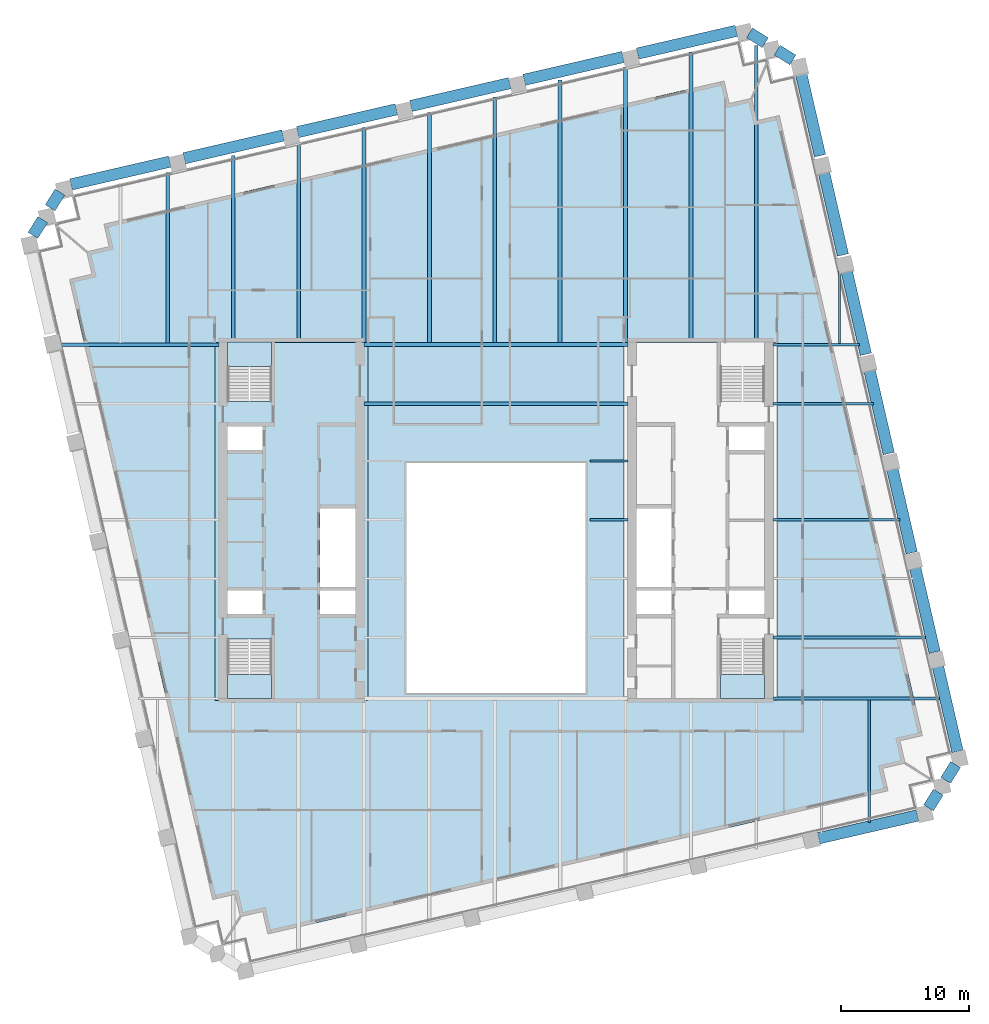
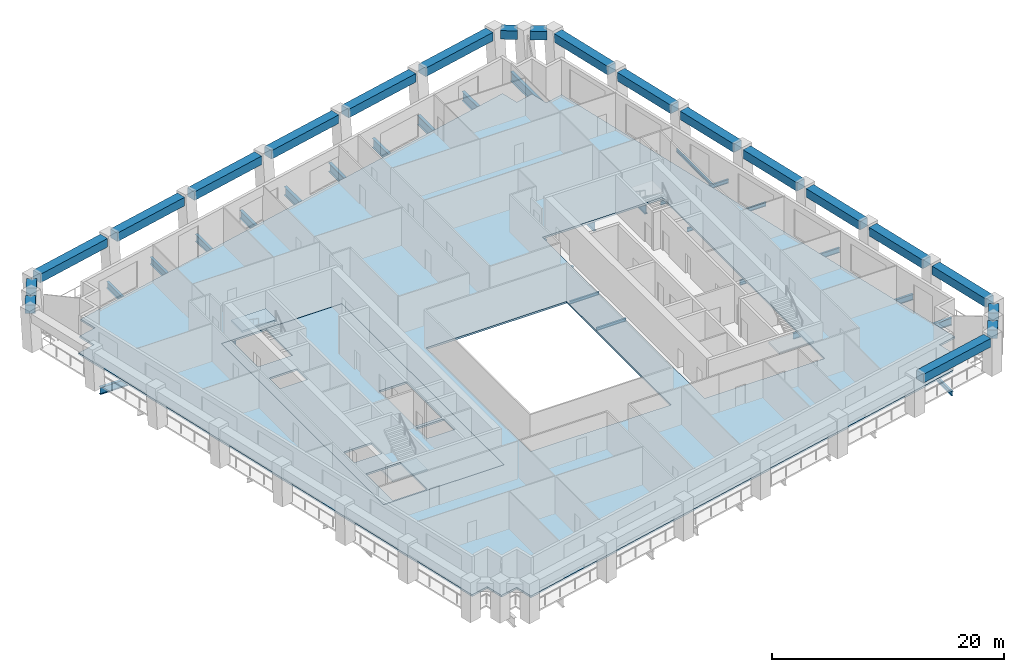
# One storey, part 2 of 11: 42 beams, 5 slabs, 3 elements without a shape of their own.
"""IFC4 building model written with IfcOpenShell, lengths in metres."""

from ifc_helpers import new_model, si_unit, direction, frame, origin, origin_2d, place, context, subcontext, project, spatial, polyline, rectangle, i_section, outline, extrude, material, layer, layer_set, material_profile, profile_set, type_object, element, aggregate, save


model = new_model("IFC4")

# Units and contexts
model_context = context("Model", 3, precision=1e-05, world=origin(), true_north=direction((0.0, 1.0)))
body_context = subcontext(model_context, "Body", "Model", "MODEL_VIEW")
ifc_project = project(units=[si_unit("LENGTHUNIT", "METRE"), si_unit("AREAUNIT", "SQUARE_METRE"), si_unit("VOLUMEUNIT", "CUBIC_METRE"), si_unit("PLANEANGLEUNIT", "RADIAN"), si_unit("MASSUNIT", "GRAM", prefix="KILO")], contexts=[model_context])

# Site, building, storey
site_placement = place(None, origin())
site = spatial("IfcSite", under=ifc_project, at=site_placement, CompositionType="ELEMENT")
building_placement = place(site_placement, origin())
building = spatial("IfcBuilding", under=site, at=building_placement, Name="Ogive Exchange Tower", CompositionType="ELEMENT")
storey_placement = place(building_placement, frame((0.0, 0.0, 175.800048828125)))
storey = spatial("IfcBuildingStorey", under=building, at=storey_placement, Name="L38", CompositionType="ELEMENT", Elevation=175.800048828125)

# Beams
ifc_material_1 = material(Name="Steel ASTM A992 Gr50", Category="steel")
ifc_material_profile_1 = material_profile(ifc_material_1, i_section(OverallWidth=0.300048828125, OverallDepth=0.97998046875, WebThickness=0.0166015625, FlangeThickness=0.026123046875, at=origin_2d()), Name="W1000x249")
ifc_profile_set_1 = profile_set([ifc_material_profile_1], Name="Steel ASTM A992 Gr50")
beam_type_1 = type_object("IfcBeamType", Name="Floor beam W1000x249", PredefinedType="JOIST", material=ifc_profile_set_1)
beam_1_placement = place(storey_placement, frame((-10.320068359375, 20.62255859375, -0.68994140625), z_axis=(1.0, 0.0, 0.0), x_axis=(0.0, 1.0, 0.0)))
element("IfcBeam", 1, at=beam_1_placement, inside=storey, type_object=beam_type_1, Name="Floor beam", PredefinedType="JOIST", context=body_context, shape_type="SweptSolid", body=[
    extrude(i_section(OverallWidth=0.300048828125, OverallDepth=0.97998046875, WebThickness=0.0166015625, FlangeThickness=0.026123046875, at=origin_2d()), origin(), (0.0, 0.0, 1.0), 20.64013671875),
])
beam_2_placement = place(storey_placement, frame((5.018798828125, 25.39501953125, -0.68994140625), z_axis=(0.0, 1.0, 0.0), x_axis=(-1.0, 0.0, 0.0)))
element("IfcBeam", 2, at=beam_2_placement, inside=storey, type_object=beam_type_1, Name="Floor beam", PredefinedType="JOIST", context=body_context, shape_type="SweptSolid", body=[
    extrude(i_section(OverallWidth=0.300048828125, OverallDepth=0.97998046875, WebThickness=0.0166015625, FlangeThickness=0.026123046875, at=origin_2d()), origin(), (0.0, 0.0, 1.0), 20.544189453125),
])
beam_3_placement = place(storey_placement, frame((10.1337890625, 25.39501953125, -0.68994140625), z_axis=(0.0, 1.0, 0.0), x_axis=(-1.0, 0.0, 0.0)))
element("IfcBeam", 3, at=beam_3_placement, inside=storey, type_object=beam_type_1, Name="Floor beam", PredefinedType="JOIST", context=body_context, shape_type="SweptSolid", body=[
    extrude(i_section(OverallWidth=0.300048828125, OverallDepth=0.97998046875, WebThickness=0.0166015625, FlangeThickness=0.026123046875, at=origin_2d()), origin(), (0.0, 0.0, 1.0), 21.5751953125),
])
beam_4_placement = place(storey_placement, frame((15.2490234375, 25.39990234375, -0.68994140625), z_axis=(0.0, 1.0, 0.0), x_axis=(-1.0, 0.0, 0.0)))
element("IfcBeam", 4, at=beam_4_placement, inside=storey, type_object=beam_type_1, Name="Floor beam", PredefinedType="JOIST", context=body_context, shape_type="SweptSolid", body=[
    extrude(i_section(OverallWidth=0.300048828125, OverallDepth=0.97998046875, WebThickness=0.0166015625, FlangeThickness=0.026123046875, at=origin_2d()), origin(), (0.0, 0.0, 1.0), 22.751220703125),
])
beam_5_placement = place(storey_placement, frame((20.364013671875, 25.39990234375, -0.68994140625), z_axis=(0.0, 1.0, 0.0), x_axis=(-1.0, 0.0, 0.0)))
element("IfcBeam", 5, at=beam_5_placement, inside=storey, type_object=beam_type_1, Name="Floor beam", PredefinedType="JOIST", context=body_context, shape_type="SweptSolid", body=[
    extrude(i_section(OverallWidth=0.300048828125, OverallDepth=0.97998046875, WebThickness=0.0166015625, FlangeThickness=0.026123046875, at=origin_2d()), origin(), (0.0, 0.0, 1.0), 23.23681640625),
])
ifc_material_profile_2 = material_profile(ifc_material_1, i_section(OverallWidth=0.1650390625, OverallDepth=0.31005859375, WebThickness=0.005859375, FlangeThickness=0.009765625, at=origin_2d()), Name="W310x38.7")
ifc_profile_set_2 = profile_set([ifc_material_profile_2], Name="Steel ASTM A992 Gr50")
beam_type_2 = type_object("IfcBeamType", Name="Floor beam W310x38.7", PredefinedType="JOIST", material=ifc_profile_set_2)
beam_6_placement = place(storey_placement, frame((7.3701171875, 11.543701171875, -0.35498046875), z_axis=(1.0, 0.0, 0.0), x_axis=(0.0, 1.0, 0.0)))
element("IfcBeam", 6, at=beam_6_placement, inside=storey, type_object=beam_type_2, Name="Floor beam", PredefinedType="JOIST", context=body_context, shape_type="SweptSolid", body=[
    extrude(i_section(OverallWidth=0.1650390625, OverallDepth=0.31005859375, WebThickness=0.005859375, FlangeThickness=0.009765625, at=origin_2d()), origin(), (0.0, 0.0, 1.0), 2.949951171875),
])
beam_7_placement = place(storey_placement, frame((26.879150390625, 25.333984375, -0.35498046875), z_axis=(0.0, 1.0, 0.0), x_axis=(-1.0, 0.0, 0.0)))
element("IfcBeam", 7, at=beam_7_placement, inside=storey, type_object=beam_type_2, Name="Floor beam", PredefinedType="JOIST", context=body_context, shape_type="SweptSolid", body=[
    extrude(i_section(OverallWidth=0.1650390625, OverallDepth=0.31005859375, WebThickness=0.005859375, FlangeThickness=0.009765625, at=origin_2d()), origin(), (0.0, 0.0, 1.0), 6.102294921875),
])
ifc_material_profile_3 = material_profile(ifc_material_1, i_section(OverallWidth=0.177978515625, OverallDepth=0.406005859375, WebThickness=0.0078125, FlangeThickness=0.0126953125, at=origin_2d()), Name="W410x60")
ifc_profile_set_3 = profile_set([ifc_material_profile_3], Name="Steel ASTM A992 Gr50")
beam_type_3 = type_object("IfcBeamType", Name="Floor beam W410x60", PredefinedType="JOIST", material=ifc_profile_set_3)
beam_8_placement = place(storey_placement, frame((21.679931640625, 20.62255859375, -0.403076171875), z_axis=(1.0, 0.0, 0.0), x_axis=(0.0, 1.0, 0.0)))
element("IfcBeam", 8, at=beam_8_placement, inside=storey, type_object=beam_type_3, Name="Floor beam", PredefinedType="JOIST", context=body_context, shape_type="SweptSolid", body=[
    extrude(i_section(OverallWidth=0.177978515625, OverallDepth=0.406005859375, WebThickness=0.0078125, FlangeThickness=0.0126953125, at=origin_2d()), origin(), (0.0, 0.0, 1.0), 7.845703125),
])
ifc_material_profile_4 = material_profile(ifc_material_1, i_section(OverallWidth=0.19091796875, OverallDepth=0.45703125, WebThickness=0.009033203125, FlangeThickness=0.014404296875, at=origin_2d()), Name="W460x74")
ifc_profile_set_4 = profile_set([ifc_material_profile_4], Name="Steel ASTM A992 Gr50")
beam_type_4 = type_object("IfcBeamType", Name="Floor beam W460x74", PredefinedType="JOIST", material=ifc_profile_set_4)
beam_9_placement = place(storey_placement, frame((29.1943359375, -12.160888671875, -0.428466796875), z_axis=(0.0, 1.0, 0.0), x_axis=(-1.0, 0.0, 0.0)))
element("IfcBeam", 9, at=beam_9_placement, inside=storey, type_object=beam_type_4, Name="Floor beam", PredefinedType="JOIST", context=body_context, shape_type="SweptSolid", body=[
    extrude(i_section(OverallWidth=0.19091796875, OverallDepth=0.45703125, WebThickness=0.009033203125, FlangeThickness=0.014404296875, at=origin_2d()), origin(), (0.0, 0.0, 1.0), 9.582275390625),
])
ifc_material_profile_5 = material_profile(ifc_material_1, i_section(OverallWidth=0.1669921875, OverallDepth=0.535888671875, WebThickness=0.01025390625, FlangeThickness=0.0166015625, at=origin_2d()), Name="W530x85")
ifc_profile_set_5 = profile_set([ifc_material_profile_5], Name="Steel ASTM A992 Gr50")
beam_type_5 = type_object("IfcBeamType", Name="Floor beam W530x85", PredefinedType="JOIST", material=ifc_profile_set_5)
beam_10_placement = place(storey_placement, frame((21.679931640625, 11.543701171875, -0.468017578125), z_axis=(1.0, 0.0, 0.0), x_axis=(0.0, 1.0, 0.0)))
element("IfcBeam", 10, at=beam_10_placement, inside=storey, type_object=beam_type_5, Name="Floor beam", PredefinedType="JOIST", context=body_context, shape_type="SweptSolid", body=[
    extrude(i_section(OverallWidth=0.1669921875, OverallDepth=0.535888671875, WebThickness=0.01025390625, FlangeThickness=0.0166015625, at=origin_2d()), origin(), (0.0, 0.0, 1.0), 9.941650390625),
])
ifc_material_profile_6 = material_profile(ifc_material_1, i_section(OverallWidth=0.22802734375, OverallDepth=0.60205078125, WebThickness=0.010498046875, FlangeThickness=0.014892578125, at=origin_2d()), Name="W610x101")
ifc_profile_set_6 = profile_set([ifc_material_profile_6], Name="Steel ASTM A992 Gr50")
beam_type_6 = type_object("IfcBeamType", Name="Floor beam W610x101", PredefinedType="JOIST", material=ifc_profile_set_6)
beam_11_placement = place(storey_placement, frame((21.679931640625, 2.3212890625, -0.5009765625), z_axis=(1.0, 0.0, 0.0), x_axis=(0.0, 1.0, 0.0)))
element("IfcBeam", 11, at=beam_11_placement, inside=storey, type_object=beam_type_6, Name="Floor beam", PredefinedType="JOIST", context=body_context, shape_type="SweptSolid", body=[
    extrude(i_section(OverallWidth=0.22802734375, OverallDepth=0.60205078125, WebThickness=0.010498046875, FlangeThickness=0.014892578125, at=origin_2d()), origin(), (0.0, 0.0, 1.0), 11.9208984375),
])
ifc_material_profile_7 = material_profile(ifc_material_1, i_section(OverallWidth=0.25390625, OverallDepth=0.677978515625, WebThickness=0.01171875, FlangeThickness=0.016357421875, at=origin_2d()), Name="W690x125")
ifc_profile_set_7 = profile_set([ifc_material_profile_7], Name="Steel ASTM A992 Gr50")
beam_type_7 = type_object("IfcBeamType", Name="Floor beam W690x125", PredefinedType="JOIST", material=ifc_profile_set_7)
beam_12_placement = place(storey_placement, frame((-25.672119140625, 25.37841796875, -0.5390625), z_axis=(0.0, 1.0, 0.0), x_axis=(-1.0, 0.0, 0.0)))
element("IfcBeam", 12, at=beam_12_placement, inside=storey, type_object=beam_type_7, Name="Floor beam", PredefinedType="JOIST", context=body_context, shape_type="SweptSolid", body=[
    extrude(i_section(OverallWidth=0.25390625, OverallDepth=0.677978515625, WebThickness=0.01171875, FlangeThickness=0.016357421875, at=origin_2d()), origin(), (0.0, 0.0, 1.0), 13.325439453125),
])
ifc_material_profile_8 = material_profile(ifc_material_1, i_section(OverallWidth=0.26708984375, OverallDepth=0.75390625, WebThickness=0.01318359375, FlangeThickness=0.01708984375, at=origin_2d()), Name="W760x147")
ifc_profile_set_8 = profile_set([ifc_material_profile_8], Name="Steel ASTM A992 Gr50")
beam_type_8 = type_object("IfcBeamType", Name="Floor beam W760x147", PredefinedType="JOIST", material=ifc_profile_set_8)
beam_13_placement = place(storey_placement, frame((-20.556884765625, 25.39990234375, -0.5771484375), z_axis=(0.0, 1.0, 0.0), x_axis=(-1.0, 0.0, 0.0)))
element("IfcBeam", 13, at=beam_13_placement, inside=storey, type_object=beam_type_8, Name="Floor beam", PredefinedType="JOIST", context=body_context, shape_type="SweptSolid", body=[
    extrude(i_section(OverallWidth=0.26708984375, OverallDepth=0.75390625, WebThickness=0.01318359375, FlangeThickness=0.01708984375, at=origin_2d()), origin(), (0.0, 0.0, 1.0), 14.634765625),
])
beam_14_placement = place(storey_placement, frame((-15.44189453125, 25.39990234375, -0.5771484375), z_axis=(0.0, 1.0, 0.0), x_axis=(-1.0, 0.0, 0.0)))
element("IfcBeam", 14, at=beam_14_placement, inside=storey, type_object=beam_type_8, Name="Floor beam", PredefinedType="JOIST", context=body_context, shape_type="SweptSolid", body=[
    extrude(i_section(OverallWidth=0.26708984375, OverallDepth=0.75390625, WebThickness=0.01318359375, FlangeThickness=0.01708984375, at=origin_2d()), origin(), (0.0, 0.0, 1.0), 15.665771484375),
])
ifc_material_profile_9 = material_profile(ifc_material_1, i_section(OverallWidth=0.2919921875, OverallDepth=0.8359375, WebThickness=0.013916015625, FlangeThickness=0.018798828125, at=origin_2d()), Name="W840x176")
ifc_profile_set_9 = profile_set([ifc_material_profile_9], Name="Steel ASTM A992 Gr50")
beam_type_9 = type_object("IfcBeamType", Name="Floor beam W840x176", PredefinedType="JOIST", material=ifc_profile_set_9)
beam_15_placement = place(storey_placement, frame((-10.32666015625, 25.39990234375, -0.6181640625), z_axis=(0.0, 1.0, 0.0), x_axis=(-1.0, 0.0, 0.0)))
element("IfcBeam", 15, at=beam_15_placement, inside=storey, type_object=beam_type_9, Name="Floor beam", PredefinedType="JOIST", context=body_context, shape_type="SweptSolid", body=[
    extrude(i_section(OverallWidth=0.2919921875, OverallDepth=0.8359375, WebThickness=0.013916015625, FlangeThickness=0.018798828125, at=origin_2d()), origin(), (0.0, 0.0, 1.0), 16.8466796875),
])
ifc_material_profile_10 = material_profile(ifc_material_1, i_section(OverallWidth=0.304931640625, OverallDepth=0.904052734375, WebThickness=0.01513671875, FlangeThickness=0.02001953125, at=origin_2d()), Name="W920x201")
ifc_profile_set_10 = profile_set([ifc_material_profile_10], Name="Steel ASTM A992 Gr50")
beam_type_10 = type_object("IfcBeamType", Name="Floor beam W920x201", PredefinedType="JOIST", material=ifc_profile_set_10)
beam_16_placement = place(storey_placement, frame((-5.21142578125, 25.39501953125, -0.652099609375), z_axis=(0.0, 1.0, 0.0), x_axis=(-1.0, 0.0, 0.0)))
element("IfcBeam", 16, at=beam_16_placement, inside=storey, type_object=beam_type_10, Name="Floor beam", PredefinedType="JOIST", context=body_context, shape_type="SweptSolid", body=[
    extrude(i_section(OverallWidth=0.304931640625, OverallDepth=0.904052734375, WebThickness=0.01513671875, FlangeThickness=0.02001953125, at=origin_2d()), origin(), (0.0, 0.0, 1.0), 18.032470703125),
])
ifc_material_profile_11 = material_profile(ifc_material_1, i_section(OverallWidth=0.304931640625, OverallDepth=0.9189453125, WebThickness=0.017333984375, FlangeThickness=0.02783203125, at=origin_2d()), Name="W920x253")
ifc_profile_set_11 = profile_set([ifc_material_profile_11], Name="Steel ASTM A992 Gr50")
beam_type_11 = type_object("IfcBeamType", Name="Floor beam W920x253", PredefinedType="JOIST", material=ifc_profile_set_11)
beam_17_placement = place(storey_placement, frame((-0.096435546875, 25.39501953125, -0.65966796875), z_axis=(0.0, 1.0, 0.0), x_axis=(-1.0, 0.0, 0.0)))
element("IfcBeam", 17, at=beam_17_placement, inside=storey, type_object=beam_type_11, Name="Floor beam", PredefinedType="JOIST", context=body_context, shape_type="SweptSolid", body=[
    extrude(i_section(OverallWidth=0.304931640625, OverallDepth=0.9189453125, WebThickness=0.017333984375, FlangeThickness=0.02783203125, at=origin_2d()), origin(), (0.0, 0.0, 1.0), 19.21337890625),
])
ifc_material_profile_12 = material_profile(ifc_material_1, i_section(OverallWidth=0.300048828125, OverallDepth=0.97998046875, WebThickness=0.0166015625, FlangeThickness=0.026123046875, at=origin_2d()), Name="W1000x249")
ifc_profile_set_12 = profile_set([ifc_material_profile_12], Name="Steel ASTM A992 Gr50")
beam_type_12 = type_object("IfcBeamType", Name="Girder W1000x249", PredefinedType="BEAM", material=ifc_profile_set_12)
beam_18_placement = place(storey_placement, frame((-10.320068359375, 25.2451171875, -0.68994140625), z_axis=(1.0, 0.0, 0.0), x_axis=(0.0, 1.0, 0.0)))
element("IfcBeam", 18, at=beam_18_placement, inside=storey, type_object=beam_type_12, Name="Header girder", PredefinedType="BEAM", context=body_context, shape_type="SweptSolid", body=[
    extrude(i_section(OverallWidth=0.300048828125, OverallDepth=0.97998046875, WebThickness=0.0166015625, FlangeThickness=0.026123046875, at=origin_2d()), origin(), (0.0, 0.0, 1.0), 20.64013671875),
])
ifc_material_profile_13 = material_profile(ifc_material_1, i_section(OverallWidth=0.1650390625, OverallDepth=0.31005859375, WebThickness=0.005859375, FlangeThickness=0.009765625, at=origin_2d()), Name="W310x38.7")
ifc_profile_set_13 = profile_set([ifc_material_profile_13], Name="Steel ASTM A992 Gr50")
beam_type_13 = type_object("IfcBeamType", Name="Girder W310x38.7", PredefinedType="BEAM", material=ifc_profile_set_13)
beam_19_placement = place(storey_placement, frame((7.3701171875, 16.155029296875, -0.35498046875), z_axis=(1.0, 0.0, 0.0), x_axis=(0.0, 1.0, 0.0)))
element("IfcBeam", 19, at=beam_19_placement, inside=storey, type_object=beam_type_13, Name="Trimmer girder", PredefinedType="BEAM", context=body_context, shape_type="SweptSolid", body=[
    extrude(i_section(OverallWidth=0.1650390625, OverallDepth=0.31005859375, WebThickness=0.005859375, FlangeThickness=0.009765625, at=origin_2d()), origin(), (0.0, 0.0, 1.0), 2.949951171875),
])
ifc_material_profile_14 = material_profile(ifc_material_1, i_section(OverallWidth=0.177978515625, OverallDepth=0.406005859375, WebThickness=0.0078125, FlangeThickness=0.0126953125, at=origin_2d()), Name="W410x60")
ifc_profile_set_14 = profile_set([ifc_material_profile_14], Name="Steel ASTM A992 Gr50")
beam_type_14 = type_object("IfcBeamType", Name="Girder W410x60", PredefinedType="BEAM", material=ifc_profile_set_14)
beam_20_placement = place(storey_placement, frame((21.679931640625, 25.2451171875, -0.403076171875), z_axis=(1.0, 0.0, 0.0), x_axis=(0.0, 1.0, 0.0)))
element("IfcBeam", 20, at=beam_20_placement, inside=storey, type_object=beam_type_14, Name="Header girder", PredefinedType="BEAM", context=body_context, shape_type="SweptSolid", body=[
    extrude(i_section(OverallWidth=0.177978515625, OverallDepth=0.406005859375, WebThickness=0.0078125, FlangeThickness=0.0126953125, at=origin_2d()), origin(), (0.0, 0.0, 1.0), 6.778564453125),
])
ifc_material_profile_15 = material_profile(ifc_material_1, i_section(OverallWidth=0.26708984375, OverallDepth=0.75390625, WebThickness=0.01318359375, FlangeThickness=0.01708984375, at=origin_2d()), Name="W760x147")
ifc_profile_set_15 = profile_set([ifc_material_profile_15], Name="Steel ASTM A992 Gr50")
beam_type_15 = type_object("IfcBeamType", Name="Girder W760x147", PredefinedType="BEAM", material=ifc_profile_set_15)
beam_21_placement = place(storey_placement, frame((21.679931640625, -2.445068359375, -0.5771484375), z_axis=(1.0, 0.0, 0.0), x_axis=(0.0, 1.0, 0.0)))
element("IfcBeam", 21, at=beam_21_placement, inside=storey, type_object=beam_type_15, Name="Header girder", PredefinedType="BEAM", context=body_context, shape_type="SweptSolid", body=[
    extrude(i_section(OverallWidth=0.26708984375, OverallDepth=0.75390625, WebThickness=0.01318359375, FlangeThickness=0.01708984375, at=origin_2d()), origin(), (0.0, 0.0, 1.0), 13.021484375),
])
beam_22_placement = place(storey_placement, frame((-34.193359375, 25.2451171875, -0.5771484375), z_axis=(1.0, 0.0, 0.0), x_axis=(0.0, 1.0, 0.0)))
element("IfcBeam", 22, at=beam_22_placement, inside=storey, type_object=beam_type_15, Name="Header girder", PredefinedType="BEAM", context=body_context, shape_type="SweptSolid", body=[
    extrude(i_section(OverallWidth=0.26708984375, OverallDepth=0.75390625, WebThickness=0.01318359375, FlangeThickness=0.01708984375, at=origin_2d()), origin(), (0.0, 0.0, 1.0), 12.513427734375),
])
ifc_material_2 = material(Name="Precast concrete C70/85 (limestone faced)", Category="masonry")
ifc_material_profile_16 = material_profile(ifc_material_2, rectangle(XDim=0.89990234375, YDim=0.89990234375, at=origin_2d()), Name="900 x 900")
ifc_profile_set_16 = profile_set([ifc_material_profile_16], Name="Precast concrete C70/85 (limestone faced)")
beam_type_16 = type_object("IfcBeamType", Name="Precast spandrel 900 x 900 C70/85", PredefinedType="SPANDREL", material=ifc_profile_set_16)
beam_23_placement = place(storey_placement, frame((25.249755859375, -13.383544921875, 3.5), z_axis=(0.974368388194, 0.224958316335, 0.0), x_axis=(-0.224958316335, 0.974368388194, 0.0)))
element("IfcBeam", 23, at=beam_23_placement, inside=storey, type_object=beam_type_16, Name="Spandrel 6", PredefinedType="SPANDREL", context=body_context, shape_type="SweptSolid", body=[
    extrude(rectangle(XDim=0.89990234375, YDim=0.89990234375, at=origin_2d()), origin(), (0.0, 0.0, 1.0), 7.93994140625),
])
for number, where, z_axis, x_axis, name in (
    (24, (33.842041015625, -11.001708984375, 3.5), (0.529877740036, 0.848074041941, 0.0), (-0.848074041941, 0.529877740036, 0.0), "Spandrel 7"),
    (25, (35.19091796875, -8.843017578125, 3.5), (0.529877740036, 0.848074041941, 0.0), (-0.848074041941, 0.529877740036, 0.0), "Spandrel 8"),
):
    element("IfcBeam", number, at=place(storey_placement, frame(where, z_axis=z_axis, x_axis=x_axis)), inside=storey, type_object=beam_type_16, Name=name, PredefinedType="SPANDREL", context=body_context, shape_type="SweptSolid", body=[
        extrude(rectangle(XDim=0.89990234375, YDim=0.89990234375, at=origin_2d()), origin(), (0.0, 0.0, 1.0), 1.448486328125),
    ])
beam_24_placement = place(storey_placement, frame((36.11865234375, -6.584228515625, 3.5), z_axis=(-0.224932785481, 0.974374282304, 0.0), x_axis=(-0.974374282304, -0.224932785481, 0.0)))
element("IfcBeam", 26, at=beam_24_placement, inside=storey, type_object=beam_type_16, Name="Spandrel 9", PredefinedType="SPANDREL", context=body_context, shape_type="SweptSolid", body=[
    extrude(rectangle(XDim=0.89990234375, YDim=0.89990234375, at=origin_2d()), origin(), (0.0, 0.0, 1.0), 6.81298828125),
])
for number, where, z_axis, x_axis, name in (
    (27, (34.3251953125, 1.184326171875, 3.5), (-0.224940639537, 0.974372469174, 0.0), (-0.974372469174, -0.224940639537, 0.0), "Spandrel 10"),
    (28, (32.53173828125, 8.952880859375, 3.5), (-0.224940639537, 0.974372469174, 0.0), (-0.974372469174, -0.224940639537, 0.0), "Spandrel 11"),
    (29, (30.73828125, 16.721435546875, 3.5), (-0.224974661593, 0.974364614321, 0.0), (-0.974364614321, -0.224974661593, 0.0), "Spandrel 12"),
    (30, (28.944580078125, 24.489990234375, 3.5), (-0.224940639537, 0.974372469174, 0.0), (-0.974372469174, -0.224940639537, 0.0), "Spandrel 13"),
):
    element("IfcBeam", number, at=place(storey_placement, frame(where, z_axis=z_axis, x_axis=x_axis)), inside=storey, type_object=beam_type_16, Name=name, PredefinedType="SPANDREL", context=body_context, shape_type="SweptSolid", body=[
        extrude(rectangle(XDim=0.89990234375, YDim=0.89990234375, at=origin_2d()), origin(), (0.0, 0.0, 1.0), 6.812744140625),
    ])
beam_25_placement = place(storey_placement, frame((27.151123046875, 32.25830078125, 3.5), z_axis=(-0.224932785481, 0.974374282304, 0.0), x_axis=(-0.974374282304, -0.224932785481, 0.0)))
element("IfcBeam", 31, at=beam_25_placement, inside=storey, type_object=beam_type_16, Name="Spandrel 14", PredefinedType="SPANDREL", context=body_context, shape_type="SweptSolid", body=[
    extrude(rectangle(XDim=0.89990234375, YDim=0.89990234375, at=origin_2d()), origin(), (0.0, 0.0, 1.0), 6.81298828125),
])
beam_26_placement = place(storey_placement, frame((25.357666015625, 40.027099609375, 3.5), z_axis=(-0.224940639537, 0.974372469174, 0.0), x_axis=(-0.974372469174, -0.224940639537, 0.0)))
element("IfcBeam", 32, at=beam_26_placement, inside=storey, type_object=beam_type_16, Name="Spandrel 15", PredefinedType="SPANDREL", context=body_context, shape_type="SweptSolid", body=[
    extrude(rectangle(XDim=0.89990234375, YDim=0.89990234375, at=origin_2d()), origin(), (0.0, 0.0, 1.0), 6.812744140625),
])
for number, where, z_axis, x_axis, name in (
    (33, (23.2294921875, 47.52099609375, 3.5), (-0.848026711821, 0.529953484787, 0.0), (-0.529953484787, -0.848026711821, 0.0), "Spandrel 16"),
    (34, (21.07080078125, 48.8701171875, 3.5), (-0.848074041941, 0.529877740036, 0.0), (-0.529877740036, -0.848074041941, 0.0), "Spandrel 17"),
):
    element("IfcBeam", number, at=place(storey_placement, frame(where, z_axis=z_axis, x_axis=x_axis)), inside=storey, type_object=beam_type_16, Name=name, PredefinedType="SPANDREL", context=body_context, shape_type="SweptSolid", body=[
        extrude(rectangle(XDim=0.89990234375, YDim=0.89990234375, at=origin_2d()), origin(), (0.0, 0.0, 1.0), 1.448486328125),
    ])
for number, where, z_axis, x_axis, name in (
    (35, (18.81201171875, 49.7978515625, 3.5), (-0.974369944206, -0.224951576629, 0.0), (0.224951576629, -0.974369944206, 0.0), "Spandrel 18"),
    (36, (9.9453125, 47.750732421875, 3.5), (-0.974369944206, -0.224951576629, 0.0), (0.224951576629, -0.974369944206, 0.0), "Spandrel 19"),
    (37, (1.078369140625, 45.70361328125, 3.5), (-0.974369944206, -0.224951576629, 0.0), (0.224951576629, -0.974369944206, 0.0), "Spandrel 20"),
):
    element("IfcBeam", number, at=place(storey_placement, frame(where, z_axis=z_axis, x_axis=x_axis)), inside=storey, type_object=beam_type_16, Name=name, PredefinedType="SPANDREL", context=body_context, shape_type="SweptSolid", body=[
        extrude(rectangle(XDim=0.89990234375, YDim=0.89990234375, at=origin_2d()), origin(), (0.0, 0.0, 1.0), 7.940185546875),
    ])
beam_27_placement = place(storey_placement, frame((-7.788330078125, 43.656494140625, 3.5), z_axis=(-0.974376683324, -0.224922384377, 0.0), x_axis=(0.224922384377, -0.974376683324, 0.0)))
element("IfcBeam", 38, at=beam_27_placement, inside=storey, type_object=beam_type_16, Name="Spandrel 21", PredefinedType="SPANDREL", context=body_context, shape_type="SweptSolid", body=[
    extrude(rectangle(XDim=0.89990234375, YDim=0.89990234375, at=origin_2d()), origin(), (0.0, 0.0, 1.0), 7.93994140625),
])
beam_28_placement = place(storey_placement, frame((-16.655029296875, 41.609619140625, 3.5), z_axis=(-0.974369944206, -0.224951576629, 0.0), x_axis=(0.224951576629, -0.974369944206, 0.0)))
element("IfcBeam", 39, at=beam_28_placement, inside=storey, type_object=beam_type_16, Name="Spandrel 22", PredefinedType="SPANDREL", context=body_context, shape_type="SweptSolid", body=[
    extrude(rectangle(XDim=0.89990234375, YDim=0.89990234375, at=origin_2d()), origin(), (0.0, 0.0, 1.0), 7.940185546875),
])
beam_29_placement = place(storey_placement, frame((-25.52197265625, 39.5625, 3.5), z_axis=(-0.974368388194, -0.224958316335, 0.0), x_axis=(0.224958316335, -0.974368388194, 0.0)))
element("IfcBeam", 40, at=beam_29_placement, inside=storey, type_object=beam_type_16, Name="Spandrel 23", PredefinedType="SPANDREL", context=body_context, shape_type="SweptSolid", body=[
    extrude(rectangle(XDim=0.89990234375, YDim=0.89990234375, at=origin_2d()), origin(), (0.0, 0.0, 1.0), 7.93994140625),
])
for number, where, z_axis, x_axis, name in (
    (41, (-34.1142578125, 37.180908203125, 3.5), (-0.529877740036, -0.848074041941, 0.0), (0.848074041941, -0.529877740036, 0.0), "Spandrel 24"),
    (42, (-35.463134765625, 35.02197265625, 3.5), (-0.529953484787, -0.848026711821, 0.0), (0.848026711821, -0.529953484787, 0.0), "Spandrel 25"),
):
    element("IfcBeam", number, at=place(storey_placement, frame(where, z_axis=z_axis, x_axis=x_axis)), inside=storey, type_object=beam_type_16, Name=name, PredefinedType="SPANDREL", context=body_context, shape_type="SweptSolid", body=[
        extrude(rectangle(XDim=0.89990234375, YDim=0.89990234375, at=origin_2d()), origin(), (0.0, 0.0, 1.0), 1.448486328125),
    ])

# Slabs
ifc_material_3 = material(Name="Concrete C50/60", Category="concrete")
ifc_layer_1 = layer(ifc_material_3, 0.199951171875)
ifc_layer_set_1 = layer_set([ifc_layer_1], Name="Composite floor slab 200")
slab_type_1 = type_object("IfcSlabType", Name="Composite floor slab 200", PredefinedType="FLOOR", material=ifc_layer_set_1)
slab_1_placement = place(storey_placement, frame((0.0, 0.0, -0.199951171875)))
element("IfcSlab", 43, at=slab_1_placement, inside=storey, type_object=slab_type_1, Name="Composite floor slab", PredefinedType="FLOOR", context=body_context, shape_type="SweptSolid", body=[
    extrude(outline(polyline([(-18.255615234375, -19.116943359375), (-20.009521484375, -19.52197265625), (-20.414306640625, -17.76806640625), (-22.168212890625, -18.1728515625), (-33.370849609375, 30.3505859375), (-31.616943359375, 30.755615234375), (-32.02197265625, 32.509521484375), (-30.26806640625, 32.914306640625), (-30.6728515625, 34.668212890625), (17.8505859375, 45.870849609375), (18.255615234375, 44.116943359375), (20.009521484375, 44.52197265625), (20.414306640625, 42.76806640625), (22.168212890625, 43.1728515625), (33.370849609375, -5.3505859375), (31.616943359375, -5.755615234375), (32.02197265625, -7.509521484375), (30.26806640625, -7.914306640625), (30.6728515625, -9.668212890625), (-17.8505859375, -20.870849609375), (-18.255615234375, -19.116943359375)]), holes=[polyline([(7.0, -2.0), (7.0, 16.0), (-7.0, 16.0), (-7.0, -2.0), (7.0, -2.0)]), polyline([(-22.0, -2.60009765625), (-10.0, -2.60009765625), (-10.0, 25.39990234375), (-22.0, 25.39990234375), (-22.0, -2.60009765625)]), polyline([(10.0, -2.60009765625), (22.0, -2.60009765625), (22.0, 25.39990234375), (10.0, 25.39990234375), (10.0, -2.60009765625)])]), origin(), (0.0, 0.0, 1.0), 0.199951171875),
])
ifc_material_4 = material(Name="Concrete C70/85", Category="concrete")
ifc_layer_2 = layer(ifc_material_4, 0.199951171875)
ifc_layer_set_2 = layer_set([ifc_layer_2], Name="Core floor slab 200")
slab_type_2 = type_object("IfcSlabType", Name="Core floor slab 200", PredefinedType="FLOOR", material=ifc_layer_set_2)
slab_2_placement = place(storey_placement, frame((0.0, 0.0, -0.199951171875)))
element("IfcSlab", 44, at=slab_2_placement, inside=storey, type_object=slab_type_2, Name="Core floor slab", PredefinedType="FLOOR", context=body_context, shape_type="SweptSolid", body=[
    extrude(outline(polyline([(-10.0, 25.39990234375), (-10.0, -2.60009765625), (-22.0, -2.60009765625), (-22.0, 25.39990234375), (-21.0, 25.39990234375), (-21.0, 20.803955078125), (-17.550048828125, 20.803955078125), (-17.550048828125, 25.39990234375), (-10.0, 25.39990234375)]), holes=[polyline([(-17.550048828125, 2.196044921875), (-21.0, 2.196044921875), (-21.0, -2.449951171875), (-17.550048828125, -2.449951171875), (-17.550048828125, 2.196044921875)]), polyline([(-18.25, 5.992919921875), (-21.0, 5.992919921875), (-21.0, 4.14990234375), (-18.25, 4.14990234375), (-18.25, 5.992919921875)]), polyline([(-11.0, 5.992919921875), (-13.75, 5.992919921875), (-13.75, 4.14990234375), (-11.0, 4.14990234375), (-11.0, 5.992919921875)]), polyline([(-13.75, 12.42138671875), (-13.75, 6.29296875), (-11.0, 6.29296875), (-11.0, 12.42138671875), (-13.75, 12.42138671875)]), polyline([(-18.25, 18.85009765625), (-21.0, 18.85009765625), (-21.0, 17.007080078125), (-18.25, 17.007080078125), (-18.25, 18.85009765625)])]), origin(), (0.0, 0.0, 1.0), 0.199951171875),
])

# Stair, slab
ifc_material_5 = material(Name="Concrete C40/50", Category="concrete")
stair_type = type_object("IfcStairType", Name="Exit stair 1650 wide", PredefinedType="HALF_TURN_STAIR", material=ifc_material_5)
stair_1_placement = place(storey_placement, origin())
stair_1 = element("IfcStair", 45, at=stair_1_placement, inside=storey, type_object=stair_type, Name="L38 exit stair ST1", PredefinedType="HALF_TURN_STAIR")
ifc_layer_3 = layer(ifc_material_5, 0.199951171875)
ifc_layer_set_3 = layer_set([ifc_layer_3], Name="Stair landing 200 slab")
slab_type_3 = type_object("IfcSlabType", Name="Stair landing 200 slab", PredefinedType="LANDING", material=ifc_layer_set_3)
slab_3_placement = place(storey_placement, frame((0.0, 0.0, 1.89990234375)))
slab_3 = element("IfcSlab", 46, at=slab_3_placement, type_object=slab_type_3, Name="ST1 landing 1", PredefinedType="LANDING", context=body_context, shape_type="SweptSolid", body=[
    extrude(outline(polyline([(-21.0, -0.550048828125), (-21.0, -2.449951171875), (-17.550048828125, -2.449951171875), (-17.550048828125, -0.550048828125), (-21.0, -0.550048828125)])), origin(), (0.0, 0.0, 1.0), 0.199951171875),
])
aggregate(stair_1, [slab_3])

stair_2_placement = place(storey_placement, origin())
stair_2 = element("IfcStair", 47, at=stair_2_placement, inside=storey, type_object=stair_type, Name="L38 exit stair ST2", PredefinedType="HALF_TURN_STAIR")
slab_4_placement = place(storey_placement, frame((0.0, 0.0, 1.89990234375)))
slab_4 = element("IfcSlab", 48, at=slab_4_placement, type_object=slab_type_3, Name="ST2 landing 1", PredefinedType="LANDING", context=body_context, shape_type="SweptSolid", body=[
    extrude(outline(polyline([(-17.550048828125, 23.550048828125), (-17.550048828125, 25.449951171875), (-21.0, 25.449951171875), (-21.0, 23.550048828125), (-17.550048828125, 23.550048828125)])), origin(), (0.0, 0.0, 1.0), 0.199951171875),
])
aggregate(stair_2, [slab_4])

stair_3_placement = place(storey_placement, origin())
stair_3 = element("IfcStair", 49, at=stair_3_placement, inside=storey, type_object=stair_type, Name="L38 exit stair ST3", PredefinedType="HALF_TURN_STAIR")
slab_5_placement = place(storey_placement, frame((0.0, 0.0, 1.89990234375)))
slab_5 = element("IfcSlab", 50, at=slab_5_placement, type_object=slab_type_3, Name="ST3 landing 1", PredefinedType="LANDING", context=body_context, shape_type="SweptSolid", body=[
    extrude(outline(polyline([(17.550048828125, -0.550048828125), (17.550048828125, -2.449951171875), (21.0, -2.449951171875), (21.0, -0.550048828125), (17.550048828125, -0.550048828125)])), origin(), (0.0, 0.0, 1.0), 0.199951171875),
])
aggregate(stair_3, [slab_5])

save(model, "model.ifc")
